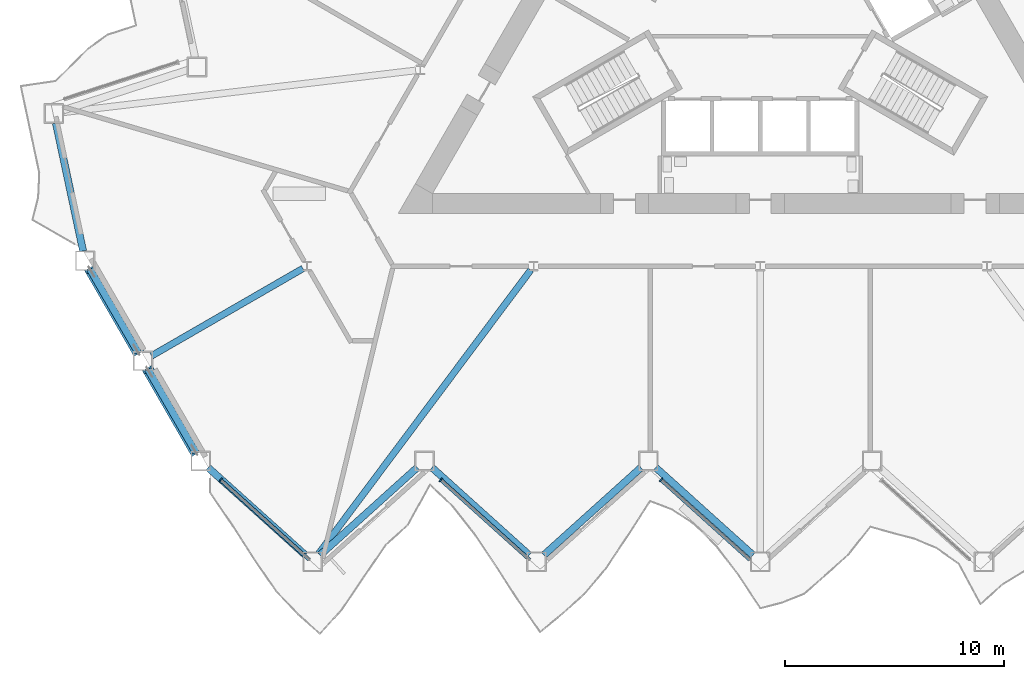
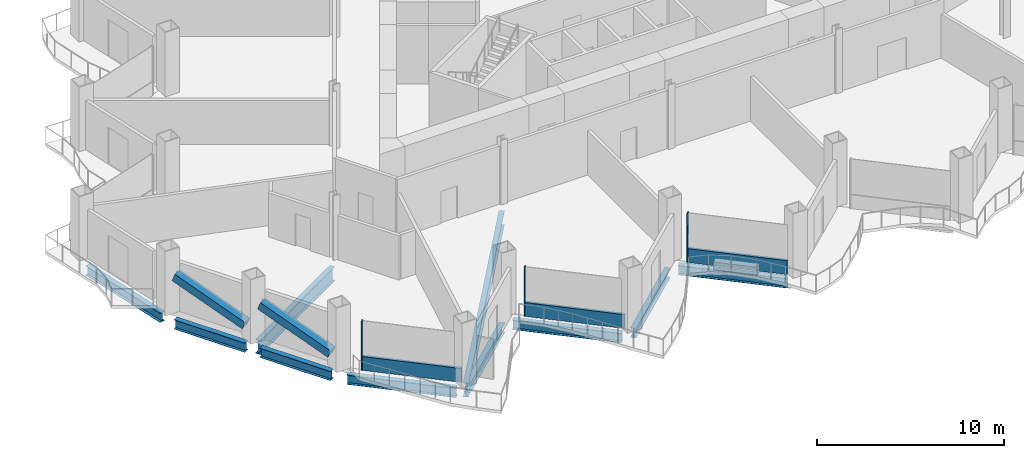
# One storey, part 3 of 21: 10 beams, 8 members, 3 elements without a shape of their own.
"""IFC4 building model written with IfcOpenShell, lengths in metres."""

import ifcopenshell
import ifcopenshell.guid

model = None  # the IFC model being written
_history = None  # IfcOwnerHistory: only IFC2X3 demands one
_inside = {}  # id of a spatial element -> (the spatial element, [elements in it])
_under = {}  # id of a project, library or spatial element -> (it, [spatial elements below it])
_declared = {}  # id of a project -> (the project, [libraries it declares])
_typed = {}  # id of a type object -> (the type object, [elements of that type])
_made_of = {}  # id of a material, layer set ... -> (it, [elements and type objects made of it])


def new_model(schema):
    """Start an empty IFC model of exactly this schema.

    Asked for "IFC4X3", IfcOpenShell would pick the latest addendum, in which some entities
    have other attributes; the version numbers below select the first issue.
    IFC2X3 requires an IfcOwnerHistory on every rooted entity: one is made here for all.
    """
    global model, _history
    if schema == "IFC4X3":
        model = ifcopenshell.file(schema_version=(4, 3, 0, 0))
    else:
        model = ifcopenshell.file(schema=schema)
    _inside.clear()
    _under.clear()
    _declared.clear()
    _typed.clear()
    _made_of.clear()
    _history = None
    if model.schema == "IFC2X3":
        org = make("IfcOrganization", Name="unknown")
        user = make(
            "IfcPersonAndOrganization",
            ThePerson=make("IfcPerson", FamilyName="unknown"),
            TheOrganization=org,
        )
        app = make(
            "IfcApplication",
            ApplicationDeveloper=org,
            Version="unknown",
            ApplicationFullName="unknown",
            ApplicationIdentifier="unknown",
        )
        _history = make(
            "IfcOwnerHistory",
            OwningUser=user,
            OwningApplication=app,
            ChangeAction="ADDED",
            CreationDate=0,
        )
    return model


def make(cls, **values):
    """One entity of the class cls with the attributes given. An attribute that is None is left unset."""
    return model.create_entity(
        cls, **{name: value for name, value in values.items() if value is not None}
    )


def rooted(cls, **values):
    """An entity with a GlobalId (a new one), such as an element, a storey or a relation."""
    return make(cls, GlobalId=ifcopenshell.guid.new(), OwnerHistory=_history, **values)


def si_unit(unit_type, name, prefix=None):
    """IfcSIUnit, for example si_unit("LENGTHUNIT", "METRE", prefix="MILLI")."""
    return make("IfcSIUnit", UnitType=unit_type, Prefix=prefix, Name=name)


def assignment(units):
    """IfcUnitAssignment: the units of a project."""
    return None if units is None else make("IfcUnitAssignment", Units=units)


def point(xyz):
    """IfcCartesianPoint."""
    return None if xyz is None else make("IfcCartesianPoint", Coordinates=xyz)


def direction(xyz):
    """IfcDirection."""
    return None if xyz is None else make("IfcDirection", DirectionRatios=xyz)


def frame(location, z_axis=None, x_axis=None):
    """IfcAxis2Placement3D, a coordinate frame: its origin and axes. An axis left out is left unset."""
    return make(
        "IfcAxis2Placement3D",
        Location=point(location),
        Axis=direction(z_axis),
        RefDirection=direction(x_axis),
    )


def frame_2d(location, x_axis=None):
    """IfcAxis2Placement2D, a coordinate frame in the plane: its origin and x axis."""
    return make(
        "IfcAxis2Placement2D", Location=point(location), RefDirection=direction(x_axis)
    )


def origin():
    """The frame at (0, 0, 0) with its axes left unset."""
    return frame((0.0, 0.0, 0.0))


def origin_2d():
    """The frame at (0, 0) in the plane with its x axis left unset."""
    return frame_2d((0.0, 0.0))


def place(relative_to, where):
    """IfcLocalPlacement: puts the frame where relative to a parent placement (None: the world)."""
    return make(
        "IfcLocalPlacement", PlacementRelTo=relative_to, RelativePlacement=where
    )


def context(
    kind, dimensions, precision=None, world=None, true_north=None, identifier=None
):
    """IfcGeometricRepresentationContext, for example the 3D "Model" context."""
    return make(
        "IfcGeometricRepresentationContext",
        ContextIdentifier=identifier,
        ContextType=kind,
        CoordinateSpaceDimension=dimensions,
        Precision=precision,
        WorldCoordinateSystem=world,
        TrueNorth=true_north,
    )


def subcontext(parent, identifier, kind, view, scale=None):
    """IfcGeometricRepresentationSubContext, for example "Body" below "Model"."""
    return make(
        "IfcGeometricRepresentationSubContext",
        ContextIdentifier=identifier,
        ContextType=kind,
        ParentContext=parent,
        TargetScale=scale,
        TargetView=view,
    )


def project(units=None, contexts=None):
    """IfcProject with its units and contexts."""
    return rooted(
        "IfcProject",
        Name="project",
        RepresentationContexts=contexts,
        UnitsInContext=assignment(units),
    )


def spatial(cls, under=None, at=None, **own):
    """A site, building, storey or space (cls), placed at a placement, below another one or the project."""
    s = rooted(cls, ObjectPlacement=at, **own)
    if under is not None:
        _under.setdefault(under.id(), (under, []))[1].append(s)
    return s


def profile(cls, at=None, kind="AREA", **sizes):
    """A parametric profile (cls). Its sizes go by their IFC names, for example OverallWidth=200.0."""
    return make(cls, ProfileType=kind, Position=at, **sizes)


def rectangle(**sizes):
    """IfcRectangleProfileDef."""
    return profile("IfcRectangleProfileDef", **sizes)


def hollow_rectangle(**sizes):
    """IfcRectangleHollowProfileDef."""
    return profile("IfcRectangleHollowProfileDef", **sizes)


def i_section(**sizes):
    """IfcIShapeProfileDef."""
    return profile("IfcIShapeProfileDef", **sizes)


def extrude(swept, where, along, depth):
    """IfcExtrudedAreaSolid: the profile swept, set in the frame where, extruded along a direction by depth."""
    return make(
        "IfcExtrudedAreaSolid",
        SweptArea=swept,
        Position=where,
        ExtrudedDirection=direction(along),
        Depth=depth,
    )


def shape(context_of_items, identifier, shape_type, items):
    """IfcShapeRepresentation: the items that make up one representation, for example the "Body"."""
    return make(
        "IfcShapeRepresentation",
        ContextOfItems=context_of_items,
        RepresentationIdentifier=identifier,
        RepresentationType=shape_type,
        Items=items,
    )


def material(Name=None, Category=None):
    """IfcMaterial."""
    return make("IfcMaterial", Name=Name, Category=Category)


def layer(
    of_material, thickness, ventilated=None, Name=None, Category=None, Priority=None
):
    """IfcMaterialLayer: one layer of a wall or slab, of a material (None: an air gap)."""
    return make(
        "IfcMaterialLayer",
        Material=of_material,
        LayerThickness=thickness,
        IsVentilated=ventilated,
        Name=Name,
        Category=Category,
        Priority=Priority,
    )


def layer_set(layers, Name=None):
    """IfcMaterialLayerSet."""
    return make("IfcMaterialLayerSet", MaterialLayers=layers, LayerSetName=Name)


def material_profile(
    of_material, cross_section, Name=None, Category=None, Priority=None
):
    """IfcMaterialProfile: a cross section and its material."""
    return make(
        "IfcMaterialProfile",
        Name=Name,
        Material=of_material,
        Profile=cross_section,
        Priority=Priority,
        Category=Category,
    )


def profile_set(profiles, Name=None, composite=None):
    """IfcMaterialProfileSet."""
    return make(
        "IfcMaterialProfileSet",
        Name=Name,
        MaterialProfiles=profiles,
        CompositeProfile=composite,
    )


def made_of(thing, what):
    """Note that an element or type object is made of a material, layer set ...; save() writes the relation."""
    if what is not None:
        _made_of.setdefault(what.id(), (what, []))[1].append(thing)
    return thing


def type_object(cls, material=None, **own):
    """A type object (cls), such as IfcWallType, which elements share."""
    return made_of(rooted(cls, **own), material)


def element(
    cls,
    number,
    at=None,
    inside=None,
    cuts=None,
    type_object=None,
    material=None,
    context=None,
    identifier="Body",
    shape_type=None,
    held_by="IfcProductDefinitionShape",
    body=None,
    shapes=None,
    **own,
):
    """One element of the class cls, such as IfcWall. Its Tag is "e" and its number.

    at: its placement. inside: the storey or other place that contains it. cuts: it is an
    opening in that element (IfcRelVoidsElement). A single representation is given by context,
    identifier, shape_type and body (its items); several are given by shapes. held_by: the class
    of the entity that holds the representations. save() writes the other relations.
    """
    e = rooted(cls, Tag="e%d" % number, ObjectPlacement=at, **own)
    if body is not None:
        shapes = [shape(context, identifier, shape_type, body)]
    if shapes is not None:
        e.Representation = make(held_by, Representations=shapes)
    if inside is not None:
        _inside.setdefault(inside.id(), (inside, []))[1].append(e)
    if cuts is not None:
        rooted(
            "IfcRelVoidsElement", RelatingBuildingElement=cuts, RelatedOpeningElement=e
        )
    if type_object is not None:
        _typed.setdefault(type_object.id(), (type_object, []))[1].append(e)
    return made_of(e, material)


def aggregate(whole, parts):
    """IfcRelAggregates: a whole, such as a stair, and the parts it consists of."""
    return rooted("IfcRelAggregates", RelatingObject=whole, RelatedObjects=parts)


def save(model, path):
    """Write the relations noted so far, then the file.

    IfcRelAggregates (storeys below a building ...), IfcRelContainedInSpatialStructure (elements
    in a storey), IfcRelDefinesByType, IfcRelAssociatesMaterial and IfcRelDeclares: one each for
    every whole, place, type object, material and project.
    """
    for whole, parts in _under.values():
        aggregate(whole, parts)
    for where, things in _inside.values():
        rooted(
            "IfcRelContainedInSpatialStructure",
            RelatedElements=things,
            RelatingStructure=where,
        )
    for kind, things in _typed.values():
        rooted("IfcRelDefinesByType", RelatedObjects=things, RelatingType=kind)
    for what, things in _made_of.values():
        rooted("IfcRelAssociatesMaterial", RelatedObjects=things, RelatingMaterial=what)
    for by, libraries in _declared.values():
        rooted("IfcRelDeclares", RelatingContext=by, RelatedDefinitions=libraries)
    model.write(path)


model = new_model("IFC4")

# Units and contexts
model_context = context("Model", 3, precision=1e-05, world=origin(), true_north=direction((0.0, 1.0)))
body_context = subcontext(model_context, "Body", "Model", "MODEL_VIEW")
ifc_project = project(units=[si_unit("LENGTHUNIT", "METRE"), si_unit("AREAUNIT", "SQUARE_METRE"), si_unit("VOLUMEUNIT", "CUBIC_METRE"), si_unit("PLANEANGLEUNIT", "RADIAN"), si_unit("MASSUNIT", "GRAM", prefix="KILO")], contexts=[model_context])

# Site, building, storey
site_placement = place(None, origin())
site = spatial("IfcSite", under=ifc_project, at=site_placement, CompositionType="ELEMENT")
building_placement = place(site_placement, origin())
building = spatial("IfcBuilding", under=site, at=building_placement, Name="Cormorant Prow Tower", CompositionType="ELEMENT")
storey_placement = place(building_placement, frame((0.0, 0.0, 116.39990234375)))
storey = spatial("IfcBuildingStorey", under=building, at=storey_placement, Name="L24", CompositionType="ELEMENT", Elevation=116.39990234375)

# Members
ifc_material_1 = material(Name="Structural steel ASTM A500 Gr C", Category="steel")
ifc_material_profile_1 = material_profile(ifc_material_1, hollow_rectangle(XDim=0.508056640625, YDim=0.508056640625, WallThickness=0.014892578125, at=origin_2d()), Name="HSS20x20x5/8")
ifc_profile_set_1 = profile_set([ifc_material_profile_1], Name="Structural steel ASTM A500 Gr C")
member_type_1 = type_object("IfcMemberType", Name="Chamfer brace HSS20x20x5/8", PredefinedType="BRACE", material=ifc_profile_set_1)
for number, where, z_axis, x_axis, name in (
    (1, (-28.368408203125, -15.83837890625, 0.776611328125), (-0.467784671838, 0.810243526908, 0.35310469821), (-0.866029868417, -0.499992266949, 0.0), "Chamfer brace BR1 at WSW00 L24"),
    (2, (-25.733642578125, -20.402099609375, 0.776611328125), (-0.467784671838, 0.810243526908, 0.35310469821), (-0.866029868417, -0.499992266949, 0.0), "Chamfer brace BR1 at WSW01 L24"),
):
    element("IfcMember", number, at=place(storey_placement, frame(where, z_axis=z_axis, x_axis=x_axis)), inside=storey, type_object=member_type_1, Name=name, PredefinedType="BRACE", context=body_context, shape_type="SweptSolid", body=[
        extrude(hollow_rectangle(XDim=0.508056640625, YDim=0.508056640625, WallThickness=0.014892578125, at=origin_2d()), origin(), (0.0, 0.0, 1.0), 4.632568359375),
    ])

# Curtain wall, member
ifc_material_2 = material(Name="Aluminium 6063-T6", Category="aluminium")
ifc_layer = layer(ifc_material_2, 0.199951171875)
ifc_layer_set = layer_set([ifc_layer], Name="Aluminium 6063-T6")
curtain_wall_type = type_object("IfcCurtainWallType", Name="Office unitised curtain wall 200", PredefinedType="NOTDEFINED", material=ifc_layer_set)
curtain_wall_1_placement = place(storey_placement, origin())
curtain_wall_1 = element("IfcCurtainWall", 3, at=curtain_wall_1_placement, inside=storey, type_object=curtain_wall_type, Name="Office curtain wall S00", PredefinedType="NOTDEFINED")
ifc_material_3 = material(Name="Aluminium 6063-T6", Category="aluminium")
ifc_material_profile_2 = material_profile(ifc_material_3, rectangle(XDim=0.199951171875, YDim=0.06005859375, at=origin_2d()), Name="Office mullion 60x200")
ifc_profile_set_2 = profile_set([ifc_material_profile_2], Name="Aluminium 6063-T6")
member_type_2 = type_object("IfcMemberType", Name="Office mullion 60x200", PredefinedType="MULLION", material=ifc_profile_set_2)
member_1_placement = place(storey_placement, frame((-24.59521484375, -21.671142578125, 0.0), z_axis=(0.0, 0.0, 1.0), x_axis=(0.669130597526, 0.74314483343, 0.0)))
member_1 = element("IfcMember", 4, at=member_1_placement, type_object=member_type_2, Name="Office mullion S00", PredefinedType="MULLION", context=body_context, shape_type="SweptSolid", body=[
    extrude(rectangle(XDim=0.199951171875, YDim=0.06005859375, at=origin_2d()), origin(), (0.0, 0.0, 1.0), 3.18896484375),
])

curtain_wall_2_placement = place(storey_placement, origin())
curtain_wall_2 = element("IfcCurtainWall", 5, at=curtain_wall_2_placement, inside=storey, type_object=curtain_wall_type, Name="Office curtain wall S02", PredefinedType="NOTDEFINED")
member_2_placement = place(storey_placement, frame((-14.55908203125, -21.671142578125, 0.0), z_axis=(0.0, 0.0, 1.0), x_axis=(0.669130597526, 0.74314483343, 0.0)))
member_2 = element("IfcMember", 6, at=member_2_placement, type_object=member_type_2, Name="Office mullion S02", PredefinedType="MULLION", context=body_context, shape_type="SweptSolid", body=[
    extrude(rectangle(XDim=0.199951171875, YDim=0.06005859375, at=origin_2d()), origin(), (0.0, 0.0, 1.0), 3.18896484375),
])

curtain_wall_3_placement = place(storey_placement, origin())
curtain_wall_3 = element("IfcCurtainWall", 7, at=curtain_wall_3_placement, inside=storey, type_object=curtain_wall_type, Name="Office curtain wall S04", PredefinedType="NOTDEFINED")
member_3_placement = place(storey_placement, frame((-4.523193359375, -21.671142578125, 0.0), z_axis=(0.0, 0.0, 1.0), x_axis=(0.669130597526, 0.74314483343, 0.0)))
member_3 = element("IfcMember", 8, at=member_3_placement, type_object=member_type_2, Name="Office mullion S04", PredefinedType="MULLION", context=body_context, shape_type="SweptSolid", body=[
    extrude(rectangle(XDim=0.199951171875, YDim=0.06005859375, at=origin_2d()), origin(), (0.0, 0.0, 1.0), 3.18896484375),
])

# Member
ifc_material_4 = material(Name="Terracotta", Category="masonry")
ifc_material_profile_3 = material_profile(ifc_material_4, rectangle(XDim=0.159912109375, YDim=0.89990234375, at=origin_2d()), Name="Office terracotta spandrel rail 160x900")
ifc_profile_set_3 = profile_set([ifc_material_profile_3], Name="Terracotta")
member_type_3 = type_object("IfcMemberType", Name="Office terracotta spandrel rail 160x900", PredefinedType="USERDEFINED", material=ifc_profile_set_3)
member_4_placement = place(storey_placement, frame((-24.572998046875, -21.691162109375, 0.4501953125), z_axis=(0.743159757815, -0.669114021946, 0.0), x_axis=(0.669114021946, 0.743159757815, 0.0)))
member_4 = element("IfcMember", 9, at=member_4_placement, type_object=member_type_3, Name="Office spandrel rail S00", ObjectType="TRANSOM", PredefinedType="USERDEFINED", context=body_context, shape_type="SweptSolid", body=[
    extrude(rectangle(XDim=0.159912109375, YDim=0.89990234375, at=origin_2d()), origin(), (0.0, 0.0, 1.0), 5.42041015625),
])

aggregate(curtain_wall_1, [member_1, member_4])

member_5_placement = place(storey_placement, frame((-14.536865234375, -21.691162109375, 0.4501953125), z_axis=(0.74313959179, -0.669136418912, 0.0), x_axis=(0.669136418912, 0.74313959179, 0.0)))
member_5 = element("IfcMember", 10, at=member_5_placement, type_object=member_type_3, Name="Office spandrel rail S02", ObjectType="TRANSOM", PredefinedType="USERDEFINED", context=body_context, shape_type="SweptSolid", body=[
    extrude(rectangle(XDim=0.159912109375, YDim=0.89990234375, at=origin_2d()), origin(), (0.0, 0.0, 1.0), 5.42041015625),
])

aggregate(curtain_wall_2, [member_2, member_5])

member_6_placement = place(storey_placement, frame((-4.500732421875, -21.691162109375, 0.4501953125), z_axis=(0.74313959179, -0.669136418912, 0.0), x_axis=(0.669136418912, 0.74313959179, 0.0)))
member_6 = element("IfcMember", 11, at=member_6_placement, type_object=member_type_3, Name="Office spandrel rail S04", ObjectType="TRANSOM", PredefinedType="USERDEFINED", context=body_context, shape_type="SweptSolid", body=[
    extrude(rectangle(XDim=0.159912109375, YDim=0.89990234375, at=origin_2d()), origin(), (0.0, 0.0, 1.0), 5.42041015625),
])

aggregate(curtain_wall_3, [member_3, member_6])

# Beams
ifc_material_5 = material(Name="Structural steel ASTM A992 Gr 50", Category="steel")
ifc_material_profile_4 = material_profile(ifc_material_5, i_section(OverallWidth=0.3046875, OverallDepth=0.914794921875, WebThickness=0.0166015625, FlangeThickness=0.02587890625, at=origin_2d()), Name="W36x160")
ifc_profile_set_4 = profile_set([ifc_material_profile_4], Name="Structural steel ASTM A992 Gr 50")
beam_type_1 = type_object("IfcBeamType", Name="Radial floor beam W36x160", PredefinedType="BEAM", material=ifc_profile_set_4)
beam_1_placement = place(storey_placement, frame((-20.84521484375, -12.034912109375, -0.857177734375), z_axis=(-0.866018715534, -0.50001158421, 0.0), x_axis=(0.50001158421, -0.866018715534, 0.0)))
element("IfcBeam", 12, at=beam_1_placement, inside=storey, type_object=beam_type_1, Name="Radial floor beam FB1 5 L24", PredefinedType="BEAM", context=body_context, shape_type="SweptSolid", body=[
    extrude(i_section(OverallWidth=0.3046875, OverallDepth=0.914794921875, WebThickness=0.0166015625, FlangeThickness=0.02587890625, at=origin_2d()), origin(), (0.0, 0.0, 1.0), 7.967041015625),
])
beam_2_placement = place(storey_placement, frame((-10.458740234375, -12.100341796875, -0.857177734375), z_axis=(-0.598722444929, -0.800956574315, 0.0), x_axis=(0.800956574315, -0.598722444929, 0.0)))
element("IfcBeam", 13, at=beam_2_placement, inside=storey, type_object=beam_type_1, Name="Radial floor beam FB1 6 L24", PredefinedType="BEAM", context=body_context, shape_type="SweptSolid", body=[
    extrude(i_section(OverallWidth=0.3046875, OverallDepth=0.914794921875, WebThickness=0.0166015625, FlangeThickness=0.02587890625, at=origin_2d()), origin(), (0.0, 0.0, 1.0), 16.15380859375),
])
ifc_material_6 = material(Name="Structural steel ASTM A992 Gr 50", Category="steel")
ifc_material_profile_5 = material_profile(ifc_material_6, i_section(OverallWidth=0.32373046875, OverallDepth=0.611083984375, WebThickness=0.0126953125, FlangeThickness=0.01904296875, at=origin_2d()), Name="W24x104")
ifc_profile_set_5 = profile_set([ifc_material_profile_5], Name="Structural steel ASTM A992 Gr 50")
beam_type_2 = type_object("IfcBeamType", Name="Spandrel beam W24x104", PredefinedType="SPANDREL", material=ifc_profile_set_5)
for number, where, z_axis, x_axis, name in (
    (14, (-25.165283203125, -21.108154296875, -0.70556640625), (0.743131253571, -0.66914567918, 0.0), (0.66914567918, 0.743131253571, 0.0), "Spandrel beam SB1 S00-S01 L24"),
    (15, (-20.0654296875, -25.09814453125, -0.70556640625), (0.743131253571, 0.66914567918, 0.0), (-0.66914567918, 0.743131253571, 0.0), "Spandrel beam SB1 S01-S02 L24"),
    (16, (-14.96533203125, -21.108154296875, -0.70556640625), (0.743131253571, -0.66914567918, 0.0), (0.66914567918, 0.743131253571, 0.0), "Spandrel beam SB1 S02-S03 L24"),
    (17, (-9.865478515625, -25.09814453125, -0.70556640625), (0.743131253571, 0.66914567918, 0.0), (-0.66914567918, 0.743131253571, 0.0), "Spandrel beam SB1 S03-S04 L24"),
    (18, (-4.765625, -21.108154296875, -0.70556640625), (0.743131253571, -0.66914567918, 0.0), (0.66914567918, 0.743131253571, 0.0), "Spandrel beam SB1 S04-S05 L24"),
    (19, (-32.1025390625, -5.4072265625, -0.70556640625), (0.207912620873, -0.978147403044, 0.0), (0.978147403044, 0.207912620873, 0.0), "Spandrel beam SB1 WNW09-WSW00 L24"),
):
    element("IfcBeam", number, at=place(storey_placement, frame(where, z_axis=z_axis, x_axis=x_axis)), inside=storey, type_object=beam_type_2, Name=name, PredefinedType="SPANDREL", context=body_context, shape_type="SweptSolid", body=[
        extrude(i_section(OverallWidth=0.32373046875, OverallDepth=0.611083984375, WebThickness=0.0126953125, FlangeThickness=0.01904296875, at=origin_2d()), origin(), (0.0, 0.0, 1.0), 5.962890625),
    ])
for number, where, z_axis, x_axis, name in (
    (20, (-30.54443359375, -12.069580078125, -0.70556640625), (0.500002967982, -0.866023690213, 0.0), (0.866023690213, 0.500002967982, 0.0), "Spandrel beam SB1 WSW00-WSW01 L24"),
    (21, (-27.909423828125, -16.63330078125, -0.70556640625), (0.500002967982, -0.866023690213, 0.0), (0.866023690213, 0.500002967982, 0.0), "Spandrel beam SB1 WSW01-S00 L24"),
):
    element("IfcBeam", number, at=place(storey_placement, frame(where, z_axis=z_axis, x_axis=x_axis)), inside=storey, type_object=beam_type_2, Name=name, PredefinedType="SPANDREL", context=body_context, shape_type="SweptSolid", body=[
        extrude(i_section(OverallWidth=0.32373046875, OverallDepth=0.611083984375, WebThickness=0.0126953125, FlangeThickness=0.01904296875, at=origin_2d()), origin(), (0.0, 0.0, 1.0), 4.36962890625),
    ])

save(model, "model.ifc")
